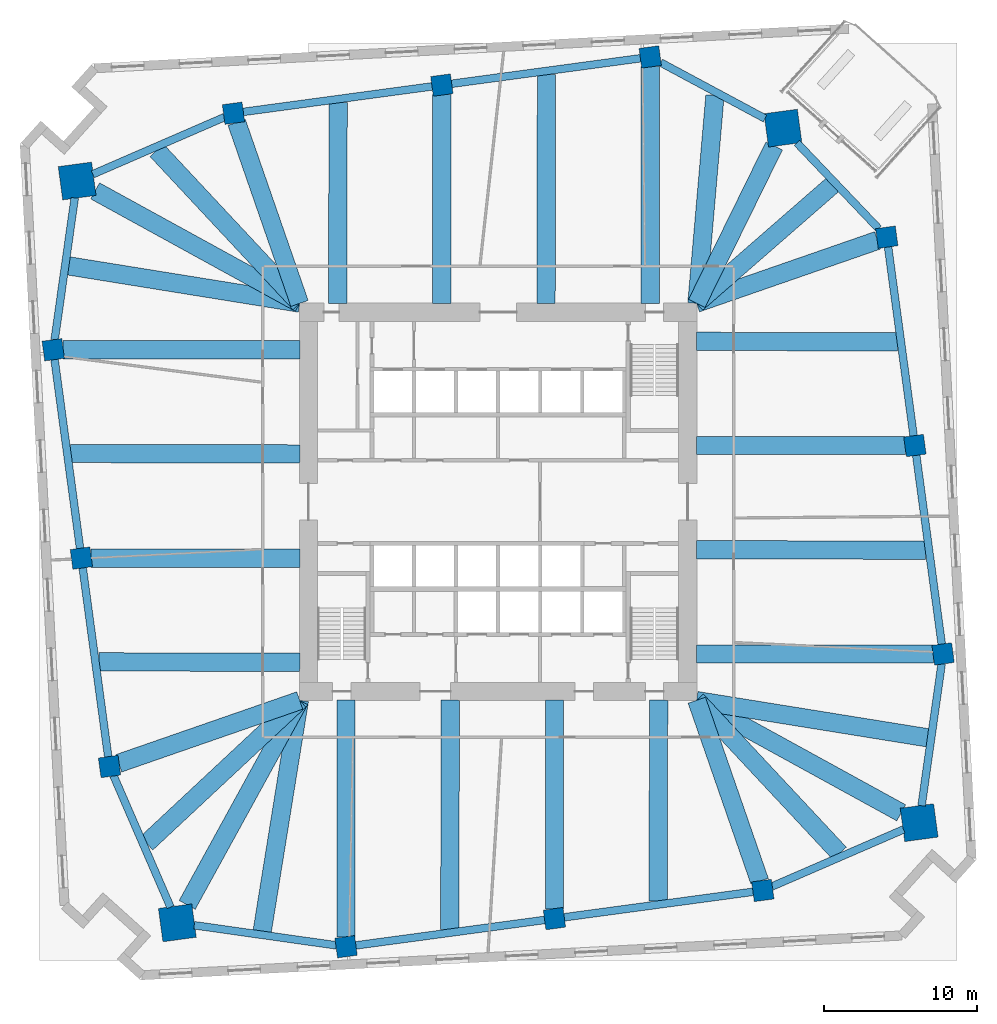
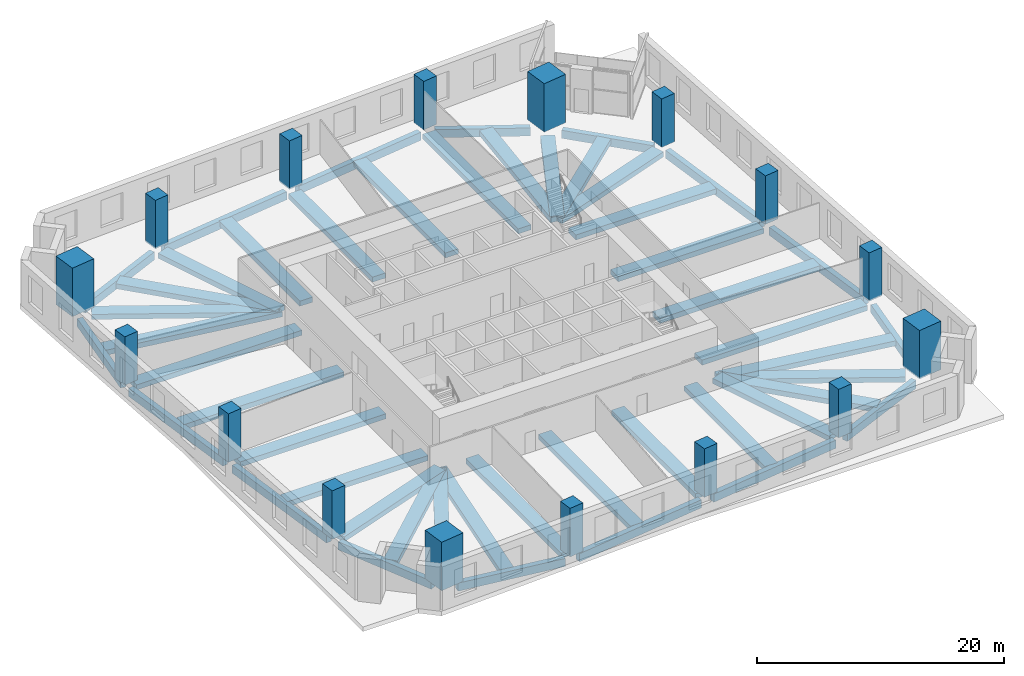
# One storey, part 1 of 10: 48 beams, 16 columns.
"""IFC4 building model written with IfcOpenShell, lengths in metres."""

from ifc_helpers import new_model, si_unit, direction, frame, origin, origin_2d, place, context, subcontext, project, spatial, rectangle, extrude, material, material_profile, profile_set, type_object, element, save


model = new_model("IFC4")

# Units and contexts
model_context = context("Model", 3, precision=1e-05, world=origin(), true_north=direction((0.0, 1.0)))
body_context = subcontext(model_context, "Body", "Model", "MODEL_VIEW")
ifc_project = project(units=[si_unit("LENGTHUNIT", "METRE"), si_unit("AREAUNIT", "SQUARE_METRE"), si_unit("VOLUMEUNIT", "CUBIC_METRE"), si_unit("PLANEANGLEUNIT", "RADIAN"), si_unit("MASSUNIT", "GRAM", prefix="KILO")], contexts=[model_context])

# Site, building, storey
site_placement = place(None, origin())
site = spatial("IfcSite", under=ifc_project, at=site_placement, CompositionType="ELEMENT")
building_placement = place(site_placement, origin())
building = spatial("IfcBuilding", under=site, at=building_placement, Name="Dilmun Exchange Tower", CompositionType="ELEMENT")
storey_placement = place(building_placement, frame((0.0, 0.0, 22.5)))
storey = spatial("IfcBuildingStorey", under=building, at=storey_placement, Name="L05", CompositionType="ELEMENT", Elevation=22.5)

# Columns
ifc_material_1 = material(Name="Concrete C80/95", Category="concrete")
ifc_material_profile_1 = material_profile(ifc_material_1, rectangle(XDim=2.199951171875, YDim=2.199951171875, at=origin_2d()), Name="2200 x 2200")
ifc_profile_set_1 = profile_set([ifc_material_profile_1], Name="Concrete C80/95")
column_type_1 = type_object("IfcColumnType", Name="RC mega column 2200 x 2200 C80/95", PredefinedType="COLUMN", material=ifc_profile_set_1)
for number, where, z_axis, x_axis, name in (
    (1, (18.6220703125, 24.43701171875, 0.0), (0.0, 0.0, 1.0), (0.991001197216, 0.133853005627, 0.0), "Mega column M1"),
    (2, (-27.531005859375, 20.97900390625, 0.0), (0.0, 0.0, 1.0), (0.991001197216, 0.133853005627, 0.0), "Mega column M2"),
    (3, (-20.97900390625, -27.531005859375, 0.0), (0.0, 0.0, 1.0), (0.991001197216, 0.133853005627, 0.0), "Mega column M3"),
    (4, (27.531005859375, -20.97900390625, 0.0), (0.0, 0.0, 1.0), (0.991001197216, 0.133853005627, 0.0), "Mega column M4"),
):
    element("IfcColumn", number, at=place(storey_placement, frame(where, z_axis=z_axis, x_axis=x_axis)), inside=storey, type_object=column_type_1, Name=name, PredefinedType="COLUMN", context=body_context, shape_type="SweptSolid", body=[
        extrude(rectangle(XDim=2.199951171875, YDim=2.199951171875, at=origin_2d()), origin(), (0.0, 0.0, 1.0), 4.800048828125),
    ])
ifc_material_profile_2 = material_profile(ifc_material_1, rectangle(XDim=1.300048828125, YDim=1.300048828125, at=origin_2d()), Name="1300 x 1300")
ifc_profile_set_2 = profile_set([ifc_material_profile_2], Name="Concrete C80/95")
column_type_2 = type_object("IfcColumnType", Name="RC ring column 1300 x 1300 C80/95", PredefinedType="COLUMN", material=ifc_profile_set_2)
for number, where, z_axis, x_axis, name in (
    (5, (9.945068359375, 29.093017578125, 0.0), (0.0, 0.0, 1.0), (0.991001197216, 0.133853005627, 0.0), "Ring column R01"),
    (6, (-3.680908203125, 27.2529296875, 0.0), (0.0, 0.0, 1.0), (0.991001197216, 0.133853005627, 0.0), "Ring column R02"),
    (7, (-17.306884765625, 25.412109375, 0.0), (0.0, 0.0, 1.0), (0.991001197216, 0.133853005627, 0.0), "Ring column R03"),
    (8, (-29.093017578125, 9.945068359375, 0.0), (0.0, 0.0, 1.0), (0.991001197216, 0.133853005627, 0.0), "Ring column R04"),
    (9, (-27.2529296875, -3.680908203125, 0.0), (0.0, 0.0, 1.0), (0.991001197216, 0.133853005627, 0.0), "Ring column R05"),
    (10, (-25.412109375, -17.306884765625, 0.0), (0.0, 0.0, 1.0), (0.991001197216, 0.133853005627, 0.0), "Ring column R06"),
    (11, (-9.945068359375, -29.093017578125, 0.0), (0.0, 0.0, 1.0), (0.991001197216, 0.133853005627, 0.0), "Ring column R07"),
    (12, (3.680908203125, -27.2529296875, 0.0), (0.0, 0.0, 1.0), (0.991001197216, 0.133853005627, 0.0), "Ring column R08"),
    (13, (17.306884765625, -25.412109375, 0.0), (0.0, 0.0, 1.0), (0.991001197216, 0.133853005627, 0.0), "Ring column R09"),
    (14, (29.093017578125, -9.945068359375, 0.0), (0.0, 0.0, 1.0), (0.991001197216, 0.133853005627, 0.0), "Ring column R10"),
    (15, (27.2529296875, 3.680908203125, 0.0), (0.0, 0.0, 1.0), (0.991001197216, 0.133853005627, 0.0), "Ring column R11"),
    (16, (25.412109375, 17.306884765625, 0.0), (0.0, 0.0, 1.0), (0.991001197216, 0.133853005627, 0.0), "Ring column R12"),
):
    element("IfcColumn", number, at=place(storey_placement, frame(where, z_axis=z_axis, x_axis=x_axis)), inside=storey, type_object=column_type_2, Name=name, PredefinedType="COLUMN", context=body_context, shape_type="SweptSolid", body=[
        extrude(rectangle(XDim=1.300048828125, YDim=1.300048828125, at=origin_2d()), origin(), (0.0, 0.0, 1.0), 4.800048828125),
    ])

# Beams
ifc_material_2 = material(Name="Concrete C40/50", Category="concrete")
ifc_material_profile_3 = material_profile(ifc_material_2, rectangle(XDim=1.199951171875, YDim=0.5, at=origin_2d()), Name="1200 x 500")
ifc_profile_set_3 = profile_set([ifc_material_profile_3], Name="Concrete C40/50")
beam_type_1 = type_object("IfcBeamType", Name="RC band beam 1200 x 500 C40/50", PredefinedType="BEAM", material=ifc_profile_set_3)
beam_1_placement = place(storey_placement, frame((18.049560546875, 23.272216796875, -0.699951171875), z_axis=(-0.44116009834, -0.897428419225, 0.0), x_axis=(0.897428419225, -0.44116009834, 0.0)))
element("IfcBeam", 17, at=beam_1_placement, inside=storey, type_object=beam_type_1, Name="Band beam 1", PredefinedType="BEAM", context=body_context, shape_type="SweptSolid", body=[
    extrude(rectangle(XDim=1.199951171875, YDim=0.5, at=origin_2d()), origin(), (0.0, 0.0, 1.0), 11.47314453125),
])
beam_2_placement = place(storey_placement, frame((9.945068359375, 28.464111328125, -0.699951171875), z_axis=(0.0, -1.0, 0.0), x_axis=(1.0, 0.0, 0.0)))
element("IfcBeam", 18, at=beam_2_placement, inside=storey, type_object=beam_type_1, Name="Band beam 2", PredefinedType="BEAM", context=body_context, shape_type="SweptSolid", body=[
    extrude(rectangle(XDim=1.199951171875, YDim=0.5, at=origin_2d()), origin(), (0.0, 0.0, 1.0), 15.4912109375),
])
beam_3_placement = place(storey_placement, frame((-3.680908203125, 26.6240234375, -0.699951171875), z_axis=(0.0, -1.0, 0.0), x_axis=(1.0, 0.0, 0.0)))
element("IfcBeam", 19, at=beam_3_placement, inside=storey, type_object=beam_type_1, Name="Band beam 3", PredefinedType="BEAM", context=body_context, shape_type="SweptSolid", body=[
    extrude(rectangle(XDim=1.199951171875, YDim=0.5, at=origin_2d()), origin(), (0.0, 0.0, 1.0), 13.651123046875),
])
beam_4_placement = place(storey_placement, frame((-17.098388671875, 24.81103515625, -0.699951171875), z_axis=(0.327819910959, -0.94474023201, 0.0), x_axis=(0.94474023201, 0.327819910959, 0.0)))
element("IfcBeam", 20, at=beam_4_placement, inside=storey, type_object=beam_type_1, Name="Band beam 4", PredefinedType="BEAM", context=body_context, shape_type="SweptSolid", body=[
    extrude(rectangle(XDim=1.199951171875, YDim=0.5, at=origin_2d()), origin(), (0.0, 0.0, 1.0), 12.52880859375),
])
beam_5_placement = place(storey_placement, frame((-26.355712890625, 20.333740234375, -0.699951171875), z_axis=(0.876547324806, -0.481315683699, 0.0), x_axis=(0.481315683699, 0.876547324806, 0.0)))
element("IfcBeam", 21, at=beam_5_placement, inside=storey, type_object=beam_type_1, Name="Band beam 5", PredefinedType="BEAM", context=body_context, shape_type="SweptSolid", body=[
    extrude(rectangle(XDim=1.199951171875, YDim=0.5, at=origin_2d()), origin(), (0.0, 0.0, 1.0), 15.263671875),
])
beam_6_placement = place(storey_placement, frame((-28.464111328125, 9.945068359375, -0.699951171875), z_axis=(1.0, 0.0, 0.0), x_axis=(0.0, 1.0, 0.0)))
element("IfcBeam", 22, at=beam_6_placement, inside=storey, type_object=beam_type_1, Name="Band beam 6", PredefinedType="BEAM", context=body_context, shape_type="SweptSolid", body=[
    extrude(rectangle(XDim=1.199951171875, YDim=0.5, at=origin_2d()), origin(), (0.0, 0.0, 1.0), 15.4912109375),
])
beam_7_placement = place(storey_placement, frame((-26.6240234375, -3.680908203125, -0.699951171875), z_axis=(1.0, 0.0, 0.0), x_axis=(0.0, 1.0, 0.0)))
element("IfcBeam", 23, at=beam_7_placement, inside=storey, type_object=beam_type_1, Name="Band beam 7", PredefinedType="BEAM", context=body_context, shape_type="SweptSolid", body=[
    extrude(rectangle(XDim=1.199951171875, YDim=0.5, at=origin_2d()), origin(), (0.0, 0.0, 1.0), 13.651123046875),
])
beam_8_placement = place(storey_placement, frame((-24.81103515625, -17.098388671875, -0.699951171875), z_axis=(0.94474023201, 0.327819910959, 0.0), x_axis=(-0.327819910959, 0.94474023201, 0.0)))
element("IfcBeam", 24, at=beam_8_placement, inside=storey, type_object=beam_type_1, Name="Band beam 8", PredefinedType="BEAM", context=body_context, shape_type="SweptSolid", body=[
    extrude(rectangle(XDim=1.199951171875, YDim=0.5, at=origin_2d()), origin(), (0.0, 0.0, 1.0), 12.52880859375),
])
beam_9_placement = place(storey_placement, frame((-20.333740234375, -26.355712890625, -0.699951171875), z_axis=(0.481315683699, 0.876547324806, 0.0), x_axis=(-0.876547324806, 0.481315683699, 0.0)))
element("IfcBeam", 25, at=beam_9_placement, inside=storey, type_object=beam_type_1, Name="Band beam 9", PredefinedType="BEAM", context=body_context, shape_type="SweptSolid", body=[
    extrude(rectangle(XDim=1.199951171875, YDim=0.5, at=origin_2d()), origin(), (0.0, 0.0, 1.0), 15.263671875),
])
beam_10_placement = place(storey_placement, frame((-9.945068359375, -28.464111328125, -0.699951171875), z_axis=(0.0, 1.0, 0.0), x_axis=(-1.0, 0.0, 0.0)))
element("IfcBeam", 26, at=beam_10_placement, inside=storey, type_object=beam_type_1, Name="Band beam 10", PredefinedType="BEAM", context=body_context, shape_type="SweptSolid", body=[
    extrude(rectangle(XDim=1.199951171875, YDim=0.5, at=origin_2d()), origin(), (0.0, 0.0, 1.0), 15.4912109375),
])
beam_11_placement = place(storey_placement, frame((3.680908203125, -26.6240234375, -0.699951171875), z_axis=(0.0, 1.0, 0.0), x_axis=(-1.0, 0.0, 0.0)))
element("IfcBeam", 27, at=beam_11_placement, inside=storey, type_object=beam_type_1, Name="Band beam 11", PredefinedType="BEAM", context=body_context, shape_type="SweptSolid", body=[
    extrude(rectangle(XDim=1.199951171875, YDim=0.5, at=origin_2d()), origin(), (0.0, 0.0, 1.0), 13.651123046875),
])
beam_12_placement = place(storey_placement, frame((17.098388671875, -24.81103515625, -0.699951171875), z_axis=(-0.327819910959, 0.94474023201, 0.0), x_axis=(-0.94474023201, -0.327819910959, 0.0)))
element("IfcBeam", 28, at=beam_12_placement, inside=storey, type_object=beam_type_1, Name="Band beam 12", PredefinedType="BEAM", context=body_context, shape_type="SweptSolid", body=[
    extrude(rectangle(XDim=1.199951171875, YDim=0.5, at=origin_2d()), origin(), (0.0, 0.0, 1.0), 12.52880859375),
])
beam_13_placement = place(storey_placement, frame((26.355712890625, -20.333740234375, -0.699951171875), z_axis=(-0.876547324806, 0.481315683699, 0.0), x_axis=(-0.481315683699, -0.876547324806, 0.0)))
element("IfcBeam", 29, at=beam_13_placement, inside=storey, type_object=beam_type_1, Name="Band beam 13", PredefinedType="BEAM", context=body_context, shape_type="SweptSolid", body=[
    extrude(rectangle(XDim=1.199951171875, YDim=0.5, at=origin_2d()), origin(), (0.0, 0.0, 1.0), 15.263671875),
])
beam_14_placement = place(storey_placement, frame((28.464111328125, -9.945068359375, -0.699951171875), z_axis=(-1.0, 0.0, 0.0), x_axis=(0.0, -1.0, 0.0)))
element("IfcBeam", 30, at=beam_14_placement, inside=storey, type_object=beam_type_1, Name="Band beam 14", PredefinedType="BEAM", context=body_context, shape_type="SweptSolid", body=[
    extrude(rectangle(XDim=1.199951171875, YDim=0.5, at=origin_2d()), origin(), (0.0, 0.0, 1.0), 15.4912109375),
])
beam_15_placement = place(storey_placement, frame((26.6240234375, 3.680908203125, -0.699951171875), z_axis=(-1.0, 0.0, 0.0), x_axis=(0.0, -1.0, 0.0)))
element("IfcBeam", 31, at=beam_15_placement, inside=storey, type_object=beam_type_1, Name="Band beam 15", PredefinedType="BEAM", context=body_context, shape_type="SweptSolid", body=[
    extrude(rectangle(XDim=1.199951171875, YDim=0.5, at=origin_2d()), origin(), (0.0, 0.0, 1.0), 13.651123046875),
])
beam_16_placement = place(storey_placement, frame((24.81103515625, 17.098388671875, -0.699951171875), z_axis=(-0.94474023201, -0.327819910959, 0.0), x_axis=(0.327819910959, -0.94474023201, 0.0)))
element("IfcBeam", 32, at=beam_16_placement, inside=storey, type_object=beam_type_1, Name="Band beam 16", PredefinedType="BEAM", context=body_context, shape_type="SweptSolid", body=[
    extrude(rectangle(XDim=1.199951171875, YDim=0.5, at=origin_2d()), origin(), (0.0, 0.0, 1.0), 12.52880859375),
])
beam_17_placement = place(storey_placement, frame((14.177978515625, 26.568603515625, -0.699951171875), z_axis=(-0.086499148019, -0.996251924662, 0.0), x_axis=(0.996251924662, -0.086499148019, 0.0)))
element("IfcBeam", 33, at=beam_17_placement, inside=storey, type_object=beam_type_1, Name="Band beam 17", PredefinedType="BEAM", context=body_context, shape_type="SweptSolid", body=[
    extrude(rectangle(XDim=1.199951171875, YDim=0.5, at=origin_2d()), origin(), (0.0, 0.0, 1.0), 13.646728515625),
])
beam_18_placement = place(storey_placement, frame((3.161865234375, 27.951904296875, -0.699951171875), z_axis=(-0.001988456479, -0.999998023018, 0.0), x_axis=(0.999998023018, -0.001988456479, 0.0)))
element("IfcBeam", 34, at=beam_18_placement, inside=storey, type_object=beam_type_1, Name="Band beam 18", PredefinedType="BEAM", context=body_context, shape_type="SweptSolid", body=[
    extrude(rectangle(XDim=1.199951171875, YDim=0.5, at=origin_2d()), origin(), (0.0, 0.0, 1.0), 14.97900390625),
])
beam_19_placement = place(storey_placement, frame((-10.464111328125, 26.111572265625, -0.699951171875), z_axis=(-0.002266977971, -0.999997430402, 0.0), x_axis=(0.999997430402, -0.002266977971, 0.0)))
element("IfcBeam", 35, at=beam_19_placement, inside=storey, type_object=beam_type_1, Name="Band beam 19", PredefinedType="BEAM", context=body_context, shape_type="SweptSolid", body=[
    extrude(rectangle(XDim=1.199951171875, YDim=0.5, at=origin_2d()), origin(), (0.0, 0.0, 1.0), 13.138671875),
])
beam_20_placement = place(storey_placement, frame((-22.330322265625, 22.990966796875, -0.699951171875), z_axis=(0.682523984798, -0.730863195253, 0.0), x_axis=(0.730863195253, 0.682523984798, 0.0)))
element("IfcBeam", 36, at=beam_20_placement, inside=storey, type_object=beam_type_1, Name="Band beam 20", PredefinedType="BEAM", context=body_context, shape_type="SweptSolid", body=[
    extrude(rectangle(XDim=1.199951171875, YDim=0.5, at=origin_2d()), origin(), (0.0, 0.0, 1.0), 13.697265625),
])
beam_21_placement = place(storey_placement, frame((-28.09130859375, 15.4306640625, -0.699951171875), z_axis=(0.98727513595, -0.159021400868, 0.0), x_axis=(0.159021400868, 0.98727513595, 0.0)))
element("IfcBeam", 37, at=beam_21_placement, inside=storey, type_object=beam_type_1, Name="Band beam 21", PredefinedType="BEAM", context=body_context, shape_type="SweptSolid", body=[
    extrude(rectangle(XDim=1.199951171875, YDim=0.5, at=origin_2d()), origin(), (0.0, 0.0, 1.0), 15.312744140625),
])
beam_22_placement = place(storey_placement, frame((-27.951904296875, 3.161865234375, -0.699951171875), z_axis=(0.999998023018, -0.001988456479, 0.0), x_axis=(0.001988456479, 0.999998023018, 0.0)))
element("IfcBeam", 38, at=beam_22_placement, inside=storey, type_object=beam_type_1, Name="Band beam 22", PredefinedType="BEAM", context=body_context, shape_type="SweptSolid", body=[
    extrude(rectangle(XDim=1.199951171875, YDim=0.5, at=origin_2d()), origin(), (0.0, 0.0, 1.0), 14.97900390625),
])
beam_23_placement = place(storey_placement, frame((-26.111572265625, -10.464111328125, -0.699951171875), z_axis=(0.999997430402, -0.002266977971, 0.0), x_axis=(0.002266977971, 0.999997430402, 0.0)))
element("IfcBeam", 39, at=beam_23_placement, inside=storey, type_object=beam_type_1, Name="Band beam 23", PredefinedType="BEAM", context=body_context, shape_type="SweptSolid", body=[
    extrude(rectangle(XDim=1.199951171875, YDim=0.5, at=origin_2d()), origin(), (0.0, 0.0, 1.0), 13.138671875),
])
beam_24_placement = place(storey_placement, frame((-22.990966796875, -22.330322265625, -0.699951171875), z_axis=(0.730863195253, 0.682523984798, 0.0), x_axis=(-0.682523984798, 0.730863195253, 0.0)))
element("IfcBeam", 40, at=beam_24_placement, inside=storey, type_object=beam_type_1, Name="Band beam 24", PredefinedType="BEAM", context=body_context, shape_type="SweptSolid", body=[
    extrude(rectangle(XDim=1.199951171875, YDim=0.5, at=origin_2d()), origin(), (0.0, 0.0, 1.0), 13.697265625),
])
beam_25_placement = place(storey_placement, frame((-15.4306640625, -28.09130859375, -0.699951171875), z_axis=(0.159021400868, 0.98727513595, 0.0), x_axis=(-0.98727513595, 0.159021400868, 0.0)))
element("IfcBeam", 41, at=beam_25_placement, inside=storey, type_object=beam_type_1, Name="Band beam 25", PredefinedType="BEAM", context=body_context, shape_type="SweptSolid", body=[
    extrude(rectangle(XDim=1.199951171875, YDim=0.5, at=origin_2d()), origin(), (0.0, 0.0, 1.0), 15.312744140625),
])
beam_26_placement = place(storey_placement, frame((-3.161865234375, -27.951904296875, -0.699951171875), z_axis=(0.001988456479, 0.999998023018, 0.0), x_axis=(-0.999998023018, 0.001988456479, 0.0)))
element("IfcBeam", 42, at=beam_26_placement, inside=storey, type_object=beam_type_1, Name="Band beam 26", PredefinedType="BEAM", context=body_context, shape_type="SweptSolid", body=[
    extrude(rectangle(XDim=1.199951171875, YDim=0.5, at=origin_2d()), origin(), (0.0, 0.0, 1.0), 14.97900390625),
])
beam_27_placement = place(storey_placement, frame((10.464111328125, -26.111572265625, -0.699951171875), z_axis=(0.002266977971, 0.999997430402, 0.0), x_axis=(-0.999997430402, 0.002266977971, 0.0)))
element("IfcBeam", 43, at=beam_27_placement, inside=storey, type_object=beam_type_1, Name="Band beam 27", PredefinedType="BEAM", context=body_context, shape_type="SweptSolid", body=[
    extrude(rectangle(XDim=1.199951171875, YDim=0.5, at=origin_2d()), origin(), (0.0, 0.0, 1.0), 13.138671875),
])
beam_28_placement = place(storey_placement, frame((22.330322265625, -22.990966796875, -0.699951171875), z_axis=(-0.682523984798, 0.730863195253, 0.0), x_axis=(-0.730863195253, -0.682523984798, 0.0)))
element("IfcBeam", 44, at=beam_28_placement, inside=storey, type_object=beam_type_1, Name="Band beam 28", PredefinedType="BEAM", context=body_context, shape_type="SweptSolid", body=[
    extrude(rectangle(XDim=1.199951171875, YDim=0.5, at=origin_2d()), origin(), (0.0, 0.0, 1.0), 13.697265625),
])
beam_29_placement = place(storey_placement, frame((28.09130859375, -15.4306640625, -0.699951171875), z_axis=(-0.98727513595, 0.159021400868, 0.0), x_axis=(-0.159021400868, -0.98727513595, 0.0)))
element("IfcBeam", 45, at=beam_29_placement, inside=storey, type_object=beam_type_1, Name="Band beam 29", PredefinedType="BEAM", context=body_context, shape_type="SweptSolid", body=[
    extrude(rectangle(XDim=1.199951171875, YDim=0.5, at=origin_2d()), origin(), (0.0, 0.0, 1.0), 15.312744140625),
])
beam_30_placement = place(storey_placement, frame((27.951904296875, -3.161865234375, -0.699951171875), z_axis=(-0.999998023018, 0.001988456479, 0.0), x_axis=(-0.001988456479, -0.999998023018, 0.0)))
element("IfcBeam", 46, at=beam_30_placement, inside=storey, type_object=beam_type_1, Name="Band beam 30", PredefinedType="BEAM", context=body_context, shape_type="SweptSolid", body=[
    extrude(rectangle(XDim=1.199951171875, YDim=0.5, at=origin_2d()), origin(), (0.0, 0.0, 1.0), 14.97900390625),
])
beam_31_placement = place(storey_placement, frame((26.111572265625, 10.464111328125, -0.699951171875), z_axis=(-0.999997430402, 0.002266977971, 0.0), x_axis=(-0.002266977971, -0.999997430402, 0.0)))
element("IfcBeam", 47, at=beam_31_placement, inside=storey, type_object=beam_type_1, Name="Band beam 31", PredefinedType="BEAM", context=body_context, shape_type="SweptSolid", body=[
    extrude(rectangle(XDim=1.199951171875, YDim=0.5, at=origin_2d()), origin(), (0.0, 0.0, 1.0), 13.138671875),
])
beam_32_placement = place(storey_placement, frame((21.85546875, 20.71826171875, -0.699951171875), z_axis=(-0.75384567582, -0.657051517803, 0.0), x_axis=(0.657051517803, -0.75384567582, 0.0)))
element("IfcBeam", 48, at=beam_32_placement, inside=storey, type_object=beam_type_1, Name="Band beam 32", PredefinedType="BEAM", context=body_context, shape_type="SweptSolid", body=[
    extrude(rectangle(XDim=1.199951171875, YDim=0.5, at=origin_2d()), origin(), (0.0, 0.0, 1.0), 11.77392578125),
])
ifc_material_profile_4 = material_profile(ifc_material_2, rectangle(XDim=0.5, YDim=0.800048828125, at=origin_2d()), Name="500 x 800")
ifc_profile_set_4 = profile_set([ifc_material_profile_4], Name="Concrete C40/50")
beam_type_2 = type_object("IfcBeamType", Name="RC ring beam 500 x 800 C40/50", PredefinedType="SPANDREL", material=ifc_profile_set_4)
beam_33_placement = place(storey_placement, frame((17.44921875, 25.06640625, -0.85009765625), z_axis=(-0.881161870548, 0.472814718354, 0.0), x_axis=(-0.472814718354, -0.881161870548, 0.0)))
element("IfcBeam", 49, at=beam_33_placement, inside=storey, type_object=beam_type_2, Name="Ring beam 1", PredefinedType="SPANDREL", context=body_context, shape_type="SweptSolid", body=[
    extrude(rectangle(XDim=0.5, YDim=0.800048828125, at=origin_2d()), origin(), (0.0, 0.0, 1.0), 7.74072265625),
])
for number, where, z_axis, x_axis, name in (
    (50, (9.32763671875, 29.009521484375, -0.85009765625), (-0.991007411355, -0.133806990248, 0.0), (0.133806990248, -0.991007411355, 0.0), "Ring beam 2"),
    (51, (-4.29833984375, 27.169677734375, -0.85009765625), (-0.990994461239, -0.133902867012, 0.0), (0.133902867012, -0.990994461239, 0.0), "Ring beam 3"),
):
    element("IfcBeam", number, at=place(storey_placement, frame(where, z_axis=z_axis, x_axis=x_axis)), inside=storey, type_object=beam_type_2, Name=name, PredefinedType="SPANDREL", context=body_context, shape_type="SweptSolid", body=[
        extrude(rectangle(XDim=0.5, YDim=0.800048828125, at=origin_2d()), origin(), (0.0, 0.0, 1.0), 12.50390625),
    ])
beam_34_placement = place(storey_placement, frame((-17.90185546875, 25.154052734375, -0.85009765625), z_axis=(-0.917467286901, -0.397811233459, 0.0), x_axis=(0.397811233459, -0.917467286901, 0.0)))
element("IfcBeam", 52, at=beam_34_placement, inside=storey, type_object=beam_type_2, Name="Ring beam 4", PredefinedType="SPANDREL", context=body_context, shape_type="SweptSolid", body=[
    extrude(rectangle(XDim=0.5, YDim=0.800048828125, at=origin_2d()), origin(), (0.0, 0.0, 1.0), 9.37939453125),
])
beam_35_placement = place(storey_placement, frame((-27.6875, 19.8740234375, -0.85009765625), z_axis=(-0.140164060375, -0.990128292788, 0.0), x_axis=(0.990128292788, -0.140164060375, 0.0)))
element("IfcBeam", 53, at=beam_35_placement, inside=storey, type_object=beam_type_2, Name="Ring beam 5", PredefinedType="SPANDREL", context=body_context, shape_type="SweptSolid", body=[
    extrude(rectangle(XDim=0.5, YDim=0.800048828125, at=origin_2d()), origin(), (0.0, 0.0, 1.0), 9.379638671875),
])
for number, where, z_axis, x_axis, name in (
    (54, (-29.009521484375, 9.32763671875, -0.85009765625), (0.133806990248, -0.991007411355, 0.0), (0.991007411355, 0.133806990248, 0.0), "Ring beam 6"),
    (55, (-27.169677734375, -4.29833984375, -0.85009765625), (0.133902867012, -0.990994461239, 0.0), (0.990994461239, 0.133902867012, 0.0), "Ring beam 7"),
):
    element("IfcBeam", number, at=place(storey_placement, frame(where, z_axis=z_axis, x_axis=x_axis)), inside=storey, type_object=beam_type_2, Name=name, PredefinedType="SPANDREL", context=body_context, shape_type="SweptSolid", body=[
        extrude(rectangle(XDim=0.5, YDim=0.800048828125, at=origin_2d()), origin(), (0.0, 0.0, 1.0), 12.50390625),
    ])
beam_36_placement = place(storey_placement, frame((-25.154052734375, -17.90185546875, -0.85009765625), z_axis=(0.397811233459, -0.917467286901, 0.0), x_axis=(0.917467286901, 0.397811233459, 0.0)))
element("IfcBeam", 56, at=beam_36_placement, inside=storey, type_object=beam_type_2, Name="Ring beam 8", PredefinedType="SPANDREL", context=body_context, shape_type="SweptSolid", body=[
    extrude(rectangle(XDim=0.5, YDim=0.800048828125, at=origin_2d()), origin(), (0.0, 0.0, 1.0), 9.37939453125),
])
beam_37_placement = place(storey_placement, frame((-19.8740234375, -27.6875, -0.85009765625), z_axis=(0.990128292788, -0.140164060375, 0.0), x_axis=(0.140164060375, 0.990128292788, 0.0)))
element("IfcBeam", 57, at=beam_37_placement, inside=storey, type_object=beam_type_2, Name="Ring beam 9", PredefinedType="SPANDREL", context=body_context, shape_type="SweptSolid", body=[
    extrude(rectangle(XDim=0.5, YDim=0.800048828125, at=origin_2d()), origin(), (0.0, 0.0, 1.0), 9.379638671875),
])
for number, where, z_axis, x_axis, name in (
    (58, (-9.32763671875, -29.009521484375, -0.85009765625), (0.991007411355, 0.133806990248, 0.0), (-0.133806990248, 0.991007411355, 0.0), "Ring beam 10"),
    (59, (4.29833984375, -27.169677734375, -0.85009765625), (0.990994461239, 0.133902867012, 0.0), (-0.133902867012, 0.990994461239, 0.0), "Ring beam 11"),
):
    element("IfcBeam", number, at=place(storey_placement, frame(where, z_axis=z_axis, x_axis=x_axis)), inside=storey, type_object=beam_type_2, Name=name, PredefinedType="SPANDREL", context=body_context, shape_type="SweptSolid", body=[
        extrude(rectangle(XDim=0.5, YDim=0.800048828125, at=origin_2d()), origin(), (0.0, 0.0, 1.0), 12.50390625),
    ])
beam_38_placement = place(storey_placement, frame((17.90185546875, -25.154052734375, -0.85009765625), z_axis=(0.917467286901, 0.397811233459, 0.0), x_axis=(-0.397811233459, 0.917467286901, 0.0)))
element("IfcBeam", 60, at=beam_38_placement, inside=storey, type_object=beam_type_2, Name="Ring beam 12", PredefinedType="SPANDREL", context=body_context, shape_type="SweptSolid", body=[
    extrude(rectangle(XDim=0.5, YDim=0.800048828125, at=origin_2d()), origin(), (0.0, 0.0, 1.0), 9.37939453125),
])
beam_39_placement = place(storey_placement, frame((27.6875, -19.8740234375, -0.85009765625), z_axis=(0.140164060375, 0.990128292788, 0.0), x_axis=(-0.990128292788, 0.140164060375, 0.0)))
element("IfcBeam", 61, at=beam_39_placement, inside=storey, type_object=beam_type_2, Name="Ring beam 13", PredefinedType="SPANDREL", context=body_context, shape_type="SweptSolid", body=[
    extrude(rectangle(XDim=0.5, YDim=0.800048828125, at=origin_2d()), origin(), (0.0, 0.0, 1.0), 9.379638671875),
])
for number, where, z_axis, x_axis, name in (
    (62, (29.009521484375, -9.32763671875, -0.85009765625), (-0.133806990248, 0.991007411355, 0.0), (-0.991007411355, -0.133806990248, 0.0), "Ring beam 14"),
    (63, (27.169677734375, 4.29833984375, -0.85009765625), (-0.133902867012, 0.990994461239, 0.0), (-0.990994461239, -0.133902867012, 0.0), "Ring beam 15"),
):
    element("IfcBeam", number, at=place(storey_placement, frame(where, z_axis=z_axis, x_axis=x_axis)), inside=storey, type_object=beam_type_2, Name=name, PredefinedType="SPANDREL", context=body_context, shape_type="SweptSolid", body=[
        extrude(rectangle(XDim=0.5, YDim=0.800048828125, at=origin_2d()), origin(), (0.0, 0.0, 1.0), 12.50390625),
    ])
beam_40_placement = place(storey_placement, frame((24.877197265625, 17.86865234375, -0.85009765625), z_axis=(-0.689624451134, 0.724167188154, 0.0), x_axis=(-0.724167188154, -0.689624451134, 0.0)))
element("IfcBeam", 64, at=beam_40_placement, inside=storey, type_object=beam_type_2, Name="Ring beam 16", PredefinedType="SPANDREL", context=body_context, shape_type="SweptSolid", body=[
    extrude(rectangle(XDim=0.5, YDim=0.800048828125, at=origin_2d()), origin(), (0.0, 0.0, 1.0), 7.7392578125),
])

save(model, "model.ifc")
